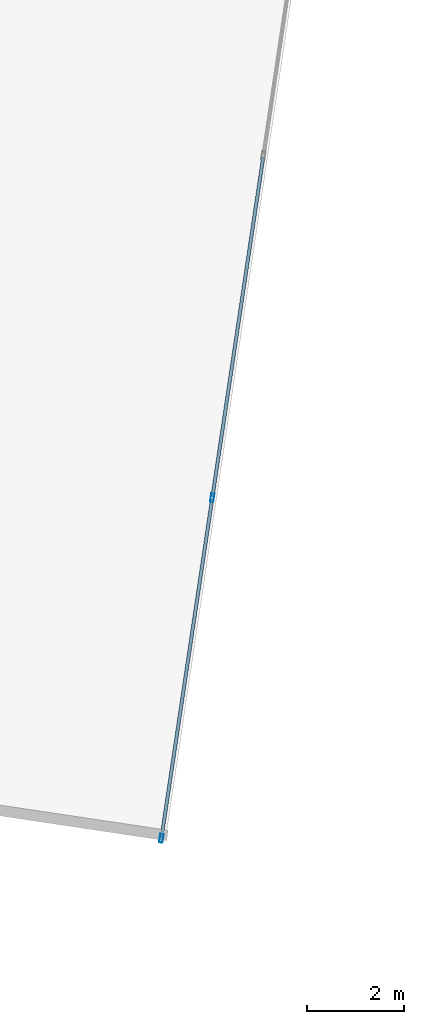
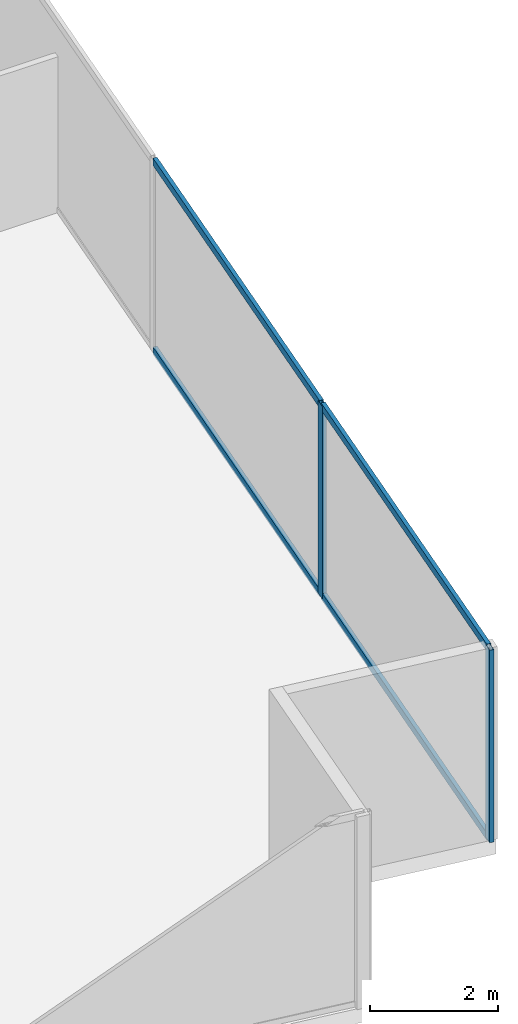
# One storey, part 12 of 29: 6 members, 1 element without a shape of its own.
"""IFC4 building model written with IfcOpenShell, lengths in metres."""

from ifc_helpers import new_model, si_unit, direction, frame, origin, origin_2d, place, context, subcontext, project, spatial, hollow_rectangle, extrude, source, transform, mapped, material, material_profile, profile_set, type_object, type_shapes, element, aggregate, save


model = new_model("IFC4")

# Units and contexts
model_context = context("Model", 3, precision=1e-05, world=origin(), true_north=direction((0.0, 1.0)))
body_context = subcontext(model_context, "Body", "Model", "MODEL_VIEW")
ifc_project = project(units=[si_unit("LENGTHUNIT", "METRE"), si_unit("AREAUNIT", "SQUARE_METRE"), si_unit("VOLUMEUNIT", "CUBIC_METRE"), si_unit("PLANEANGLEUNIT", "RADIAN"), si_unit("MASSUNIT", "GRAM", prefix="KILO")], contexts=[model_context])

# Site, building, storey
site_placement = place(None, origin())
site = spatial("IfcSite", under=ifc_project, at=site_placement, CompositionType="ELEMENT")
building_placement = place(site_placement, origin())
building = spatial("IfcBuilding", under=site, at=building_placement, Name="Krantzveldt Concourse Tower", CompositionType="ELEMENT")
storey_placement = place(building_placement, frame((0.0, 0.0, 68.449951171875)))
storey = spatial("IfcBuildingStorey", under=building, at=storey_placement, Name="L16", CompositionType="ELEMENT", Elevation=68.449951171875)

# Curtain wall, members
ifc_material = material(Name="Anodised aluminium 6063-T6", Category="aluminium")
curtain_wall_type = type_object("IfcCurtainWallType", Name="CW2", PredefinedType="USERDEFINED", material=ifc_material)
curtain_wall_placement = place(storey_placement, origin())
curtain_wall = element("IfcCurtainWall", 1, at=curtain_wall_placement, inside=storey, type_object=curtain_wall_type, Name="CW-L16-F07", ObjectType="UNITISED CURTAIN WALL", PredefinedType="USERDEFINED")
ifc_material_profile_1 = material_profile(ifc_material, hollow_rectangle(XDim=0.070068359375, YDim=0.139892578125, WallThickness=0.0048828125, at=origin_2d()), Name="Anodised aluminium 6063-T6", Category="aluminium")
ifc_profile_set_1 = profile_set([ifc_material_profile_1], Name="Anodised aluminium 6063-T6 - ALU-TRAN 140x70x5")
member_type_1 = type_object("IfcMemberType", Name="CW-TRN-150", PredefinedType="USERDEFINED", material=ifc_profile_set_1)
shared_shape_1 = source(origin(), body_context, "Body", "SweptSolid", [
    extrude(hollow_rectangle(XDim=0.070068359375, YDim=0.139892578125, WallThickness=0.0048828125, at=origin_2d()), origin(), (0.0, 0.0, 1.0), 7.0966796875),
])
member_1_placement = place(storey_placement, frame((58.52294921875, 8.876708984375, 0.03515625), z_axis=(0.147823987056, 0.989013684865, 0.0), x_axis=(-0.989013684865, 0.147823987056, 0.0)))
member_1 = element("IfcMember", 2, at=member_1_placement, type_object=member_type_1, Name="CW-Z12 transom 2.1", ObjectType="TRANSOM", PredefinedType="USERDEFINED", context=body_context, shape_type="MappedRepresentation", body=[
    mapped(shared_shape_1, transform((0.0, 0.0, 0.0), x_axis=(1.0, 0.0, 0.0), y_axis=(0.0, 1.0, 0.0), z_axis=(0.0, 0.0, 1.0), scale=1.0)),
])
member_2_placement = place(storey_placement, frame((58.52294921875, 8.876708984375, 3.635009765625), z_axis=(0.147823987056, 0.989013684865, 0.0), x_axis=(-0.989013684865, 0.147823987056, 0.0)))
member_2 = element("IfcMember", 3, at=member_2_placement, type_object=member_type_1, Name="CW-Z12 transom 2.2", ObjectType="TRANSOM", PredefinedType="USERDEFINED", context=body_context, shape_type="MappedRepresentation", body=[
    mapped(shared_shape_1, transform((0.0, 0.0, 0.0), x_axis=(1.0, 0.0, 0.0), y_axis=(0.0, 1.0, 0.0), z_axis=(0.0, 0.0, 1.0), scale=1.0)),
])
shared_shape_2 = source(origin(), body_context, "Body", "SweptSolid", [
    extrude(hollow_rectangle(XDim=0.070068359375, YDim=0.139892578125, WallThickness=0.0048828125, at=origin_2d()), origin(), (0.0, 0.0, 1.0), 7.061767578125),
])
type_shapes(member_type_1, [shared_shape_1, shared_shape_2])
member_3_placement = place(storey_placement, frame((57.46875, 1.823486328125, 0.03515625), z_axis=(0.147831568187, 0.989012551714, 0.0), x_axis=(-0.989012551714, 0.147831568187, 0.0)))
member_3 = element("IfcMember", 4, at=member_3_placement, type_object=member_type_1, Name="CW-Z12 transom 1.1", ObjectType="TRANSOM", PredefinedType="USERDEFINED", context=body_context, shape_type="MappedRepresentation", body=[
    mapped(shared_shape_2, transform((0.0, 0.0, 0.0), x_axis=(1.0, 0.0, 0.0), y_axis=(0.0, 1.0, 0.0), z_axis=(0.0, 0.0, 1.0), scale=1.0)),
])
member_4_placement = place(storey_placement, frame((57.46875, 1.823486328125, 3.635009765625), z_axis=(0.147831568187, 0.989012551714, 0.0), x_axis=(-0.989012551714, 0.147831568187, 0.0)))
member_4 = element("IfcMember", 5, at=member_4_placement, type_object=member_type_1, Name="CW-Z12 transom 1.2", ObjectType="TRANSOM", PredefinedType="USERDEFINED", context=body_context, shape_type="MappedRepresentation", body=[
    mapped(shared_shape_2, transform((0.0, 0.0, 0.0), x_axis=(1.0, 0.0, 0.0), y_axis=(0.0, 1.0, 0.0), z_axis=(0.0, 0.0, 1.0), scale=1.0)),
])
ifc_material_profile_2 = material_profile(ifc_material, hollow_rectangle(XDim=0.070068359375, YDim=0.179931640625, WallThickness=0.0048828125, at=origin_2d()), Name="Anodised aluminium 6063-T6", Category="aluminium")
ifc_profile_set_2 = profile_set([ifc_material_profile_2], Name="Anodised aluminium 6063-T6 - ALU-MULL 180x70x5")
member_type_2 = type_object("IfcMemberType", Name="CW-MUL-180", PredefinedType="MULLION", material=ifc_profile_set_2)
shared_shape_3 = source(origin(), body_context, "Body", "SweptSolid", [
    extrude(hollow_rectangle(XDim=0.070068359375, YDim=0.179931640625, WallThickness=0.0048828125, at=origin_2d()), origin(), (0.0, 0.0, 1.0), 3.670166015625),
])
type_shapes(member_type_2, [shared_shape_3])
member_5_placement = place(storey_placement, frame((57.463623046875, 1.788818359375, 0.0), z_axis=(0.0, 0.0, 1.0), x_axis=(-0.989015849271, 0.147809505412, 0.0)))
member_5 = element("IfcMember", 6, at=member_5_placement, type_object=member_type_2, Name="CW-Z12 mullion 1", PredefinedType="MULLION", context=body_context, shape_type="MappedRepresentation", body=[
    mapped(shared_shape_3, transform((0.0, 0.0, 0.0), x_axis=(1.0, 0.0, 0.0), y_axis=(0.0, 1.0, 0.0), z_axis=(0.0, 0.0, 1.0), scale=1.0)),
])
member_6_placement = place(storey_placement, frame((58.517822265625, 8.84228515625, 0.0), z_axis=(0.0, 0.0, 1.0), x_axis=(-0.989015849271, 0.147809505412, 0.0)))
member_6 = element("IfcMember", 7, at=member_6_placement, type_object=member_type_2, Name="CW-Z12 mullion 2", PredefinedType="MULLION", context=body_context, shape_type="MappedRepresentation", body=[
    mapped(shared_shape_3, transform((0.0, 0.0, 0.0), x_axis=(1.0, 0.0, 0.0), y_axis=(0.0, 1.0, 0.0), z_axis=(0.0, 0.0, 1.0), scale=1.0)),
])
aggregate(curtain_wall, [member_5, member_6, member_3, member_4, member_1, member_2])

save(model, "model.ifc")
